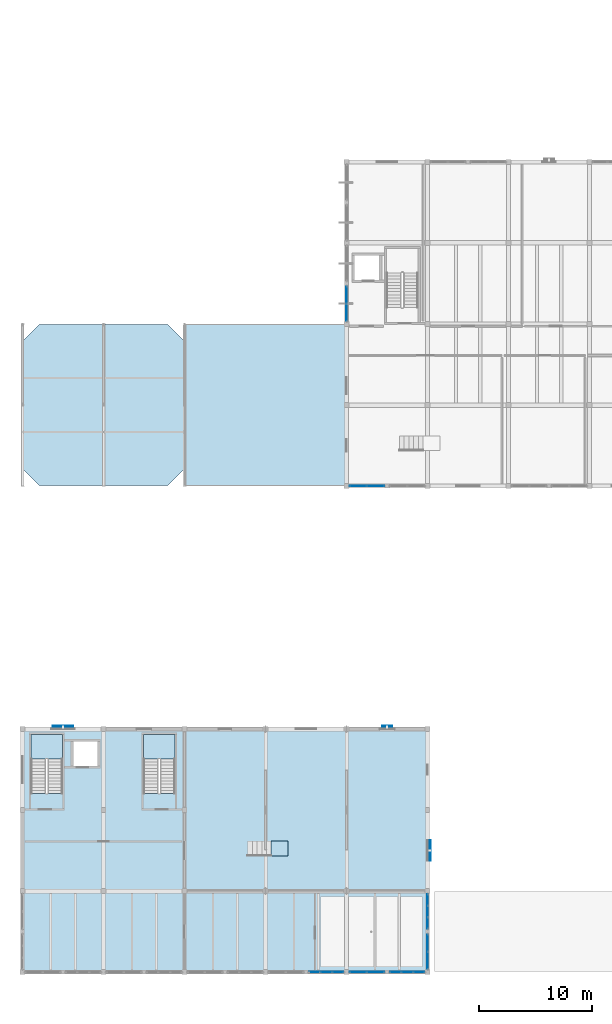
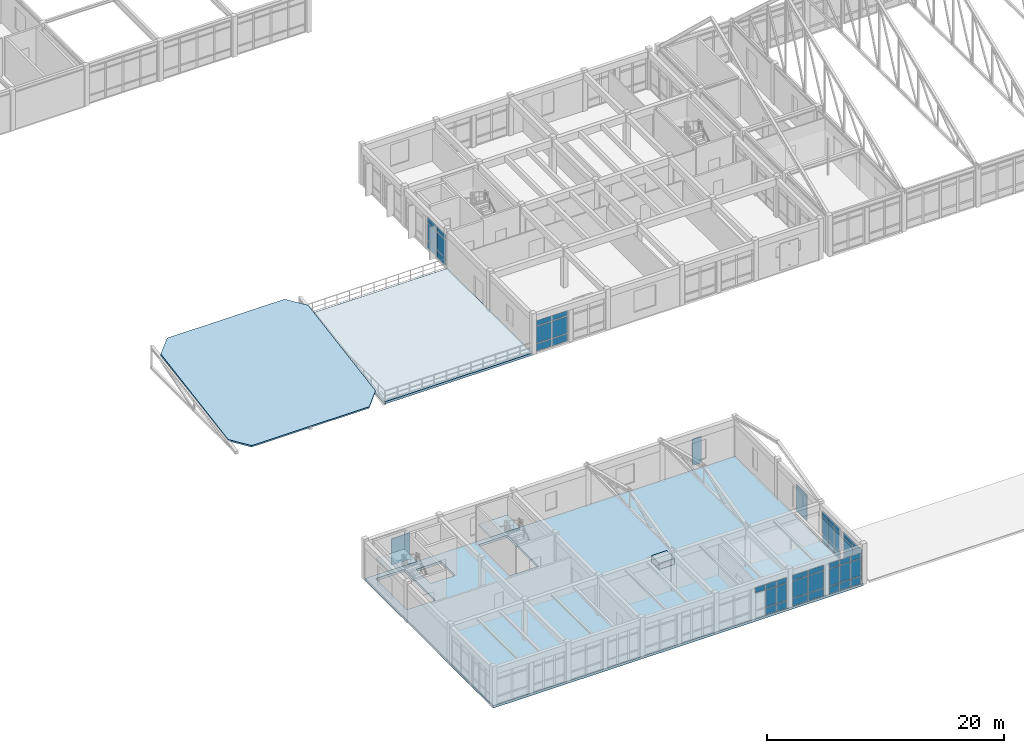
# One storey, part 76 of 136: 52 plates, 6 slabs, 9 elements without a shape of their own.
"""IFC4 building model written with IfcOpenShell, lengths in metres."""

from ifc_helpers import new_model, si_unit, direction, frame, origin, origin_2d, place, context, subcontext, project, spatial, polyline, rectangle, outline, extrude, material, layer, layer_set, type_object, element, aggregate, save


model = new_model("IFC4")

# Units and contexts
model_context = context("Model", 3, precision=1e-05, world=origin(), true_north=direction((0.0, 1.0)))
body_context = subcontext(model_context, "Body", "Model", "MODEL_VIEW")
ifc_project = project(units=[si_unit("LENGTHUNIT", "METRE"), si_unit("AREAUNIT", "SQUARE_METRE"), si_unit("VOLUMEUNIT", "CUBIC_METRE"), si_unit("PLANEANGLEUNIT", "RADIAN"), si_unit("MASSUNIT", "GRAM", prefix="KILO")], contexts=[model_context])

# Site, building, storey
site_placement = place(None, origin())
site = spatial("IfcSite", under=ifc_project, at=site_placement, CompositionType="ELEMENT")
building_placement = place(site_placement, origin())
building = spatial("IfcBuilding", under=site, at=building_placement, Name="Koriwan Promenade Central Fire Station", CompositionType="ELEMENT")
storey_placement = place(building_placement, frame((0.0, 0.0, 5.39990234375)))
storey = spatial("IfcBuildingStorey", under=building, at=storey_placement, Name="L01", CompositionType="ELEMENT", Elevation=5.39990234375)

# Curtain wall, plates
ifc_material_1 = material(Name="Aluminium EN AW-6063-T6 and low-E glazing", Category="aluminium")
ifc_layer_1 = layer(ifc_material_1, 0.159912109375, Name="Aluminium EN AW-6063-T6 and low-E glazing")
ifc_layer_set_1 = layer_set([ifc_layer_1], Name="Aluminium EN AW-6063-T6 and low-E glazing")
curtain_wall_type_1 = type_object("IfcCurtainWallType", Name="CurtainWall_26_318x335", PredefinedType="USERDEFINED", material=ifc_layer_set_1)
curtain_wall_1_placement = place(storey_placement, origin())
curtain_wall_1 = element("IfcCurtainWall", 1, at=curtain_wall_1_placement, inside=storey, type_object=curtain_wall_type_1, Name="V3 L01 unitised curtain wall 067", ObjectType="UNITISED CURTAIN WALL", PredefinedType="USERDEFINED")
ifc_material_2 = material(Name="Solar-control low-E acoustic glazing", Category="glass")
ifc_layer_2 = layer(ifc_material_2, 0.031982421875, Name="Solar-control low-E acoustic glazing")
ifc_layer_set_2 = layer_set([ifc_layer_2], Name="Solar-control low-E acoustic glazing")
plate_type_1 = type_object("IfcPlateType", Name="CWPanel_32", PredefinedType="CURTAIN_PANEL", material=ifc_layer_set_2)
plate_1_placement = place(storey_placement, frame((36.0, 1.03759765625, 0.0751953125), z_axis=(0.0, 0.0, 1.0), x_axis=(0.0, 1.0, 0.0)))
plate_1 = element("IfcPlate", 2, at=plate_1_placement, type_object=plate_type_1, Name="CW-26 panel 1.1", PredefinedType="CURTAIN_PANEL", context=body_context, shape_type="SweptSolid", body=[
    extrude(rectangle(XDim=1.47509765625, YDim=0.031982421875, at=origin_2d()), origin(), (0.0, 0.0, 1.0), 0.737548828125),
])
plate_2_placement = place(storey_placement, frame((36.0, 1.03759765625, 0.8876953125), z_axis=(0.0, 0.0, 1.0), x_axis=(0.0, 1.0, 0.0)))
plate_2 = element("IfcPlate", 3, at=plate_2_placement, type_object=plate_type_1, Name="CW-26 panel 1.2", PredefinedType="CURTAIN_PANEL", context=body_context, shape_type="SweptSolid", body=[
    extrude(rectangle(XDim=1.47509765625, YDim=0.031982421875, at=origin_2d()), origin(), (0.0, 0.0, 1.0), 1.77490234375),
])
plate_3_placement = place(storey_placement, frame((36.0, 1.03759765625, 2.737548828125), z_axis=(0.0, 0.0, 1.0), x_axis=(0.0, 1.0, 0.0)))
plate_3 = element("IfcPlate", 4, at=plate_3_placement, type_object=plate_type_1, Name="CW-26 panel 1.3", PredefinedType="CURTAIN_PANEL", context=body_context, shape_type="SweptSolid", body=[
    extrude(rectangle(XDim=1.47509765625, YDim=0.031982421875, at=origin_2d()), origin(), (0.0, 0.0, 1.0), 0.53759765625),
])
plate_4_placement = place(storey_placement, frame((36.0, 2.58740234375, 0.0751953125), z_axis=(0.0, 0.0, 1.0), x_axis=(0.0, 1.0, 0.0)))
plate_4 = element("IfcPlate", 5, at=plate_4_placement, type_object=plate_type_1, Name="CW-26 panel 2.1", PredefinedType="CURTAIN_PANEL", context=body_context, shape_type="SweptSolid", body=[
    extrude(rectangle(XDim=1.47509765625, YDim=0.031982421875, at=origin_2d()), origin(), (0.0, 0.0, 1.0), 0.737548828125),
])
plate_5_placement = place(storey_placement, frame((36.0, 2.58740234375, 0.8876953125), z_axis=(0.0, 0.0, 1.0), x_axis=(0.0, 1.0, 0.0)))
plate_5 = element("IfcPlate", 6, at=plate_5_placement, type_object=plate_type_1, Name="CW-26 panel 2.2", PredefinedType="CURTAIN_PANEL", context=body_context, shape_type="SweptSolid", body=[
    extrude(rectangle(XDim=1.47509765625, YDim=0.031982421875, at=origin_2d()), origin(), (0.0, 0.0, 1.0), 1.77490234375),
])
plate_6_placement = place(storey_placement, frame((36.0, 2.58740234375, 2.737548828125), z_axis=(0.0, 0.0, 1.0), x_axis=(0.0, 1.0, 0.0)))
plate_6 = element("IfcPlate", 7, at=plate_6_placement, type_object=plate_type_1, Name="CW-26 panel 2.3", PredefinedType="CURTAIN_PANEL", context=body_context, shape_type="SweptSolid", body=[
    extrude(rectangle(XDim=1.47509765625, YDim=0.031982421875, at=origin_2d()), origin(), (0.0, 0.0, 1.0), 0.53759765625),
])
aggregate(curtain_wall_1, [plate_1, plate_2, plate_3, plate_4, plate_5, plate_6])

ifc_layer_3 = layer(ifc_material_1, 0.159912109375, Name="Aluminium EN AW-6063-T6 and low-E glazing")
ifc_layer_set_3 = layer_set([ifc_layer_3], Name="Aluminium EN AW-6063-T6 and low-E glazing")
curtain_wall_type_2 = type_object("IfcCurtainWallType", Name="CurtainWall_27_318x335", PredefinedType="USERDEFINED", material=ifc_layer_set_3)
curtain_wall_2_placement = place(storey_placement, origin())
curtain_wall_2 = element("IfcCurtainWall", 8, at=curtain_wall_2_placement, inside=storey, type_object=curtain_wall_type_2, Name="V3 L01 unitised curtain wall 068", ObjectType="UNITISED CURTAIN WALL", PredefinedType="USERDEFINED")
plate_7_placement = place(storey_placement, frame((36.0, 4.347900390625, 0.0751953125), z_axis=(0.0, 0.0, 1.0), x_axis=(0.0, 1.0, 0.0)))
plate_7 = element("IfcPlate", 9, at=plate_7_placement, type_object=plate_type_1, Name="CW-27 panel 1.1", PredefinedType="CURTAIN_PANEL", context=body_context, shape_type="SweptSolid", body=[
    extrude(rectangle(XDim=0.94580078125, YDim=0.031982421875, at=origin_2d()), origin(), (0.0, 0.0, 1.0), 0.737548828125),
])
plate_8_placement = place(storey_placement, frame((36.0, 4.347900390625, 0.8876953125), z_axis=(0.0, 0.0, 1.0), x_axis=(0.0, 1.0, 0.0)))
plate_8 = element("IfcPlate", 10, at=plate_8_placement, type_object=plate_type_1, Name="CW-27 panel 1.2", PredefinedType="CURTAIN_PANEL", context=body_context, shape_type="SweptSolid", body=[
    extrude(rectangle(XDim=0.94580078125, YDim=0.031982421875, at=origin_2d()), origin(), (0.0, 0.0, 1.0), 1.77490234375),
])
plate_9_placement = place(storey_placement, frame((36.0, 4.347900390625, 2.737548828125), z_axis=(0.0, 0.0, 1.0), x_axis=(0.0, 1.0, 0.0)))
plate_9 = element("IfcPlate", 11, at=plate_9_placement, type_object=plate_type_1, Name="CW-27 panel 1.3", PredefinedType="CURTAIN_PANEL", context=body_context, shape_type="SweptSolid", body=[
    extrude(rectangle(XDim=0.94580078125, YDim=0.031982421875, at=origin_2d()), origin(), (0.0, 0.0, 1.0), 0.53759765625),
])
plate_10_placement = place(storey_placement, frame((36.0, 5.387451171875, 0.0751953125), z_axis=(0.0, 0.0, 1.0), x_axis=(0.0, 1.0, 0.0)))
plate_10 = element("IfcPlate", 12, at=plate_10_placement, type_object=plate_type_1, Name="CW-27 panel 2.1", PredefinedType="CURTAIN_PANEL", context=body_context, shape_type="SweptSolid", body=[
    extrude(rectangle(XDim=0.9833984375, YDim=0.031982421875, at=origin_2d()), origin(), (0.0, 0.0, 1.0), 0.737548828125),
])
plate_11_placement = place(storey_placement, frame((36.0, 5.387451171875, 0.8876953125), z_axis=(0.0, 0.0, 1.0), x_axis=(0.0, 1.0, 0.0)))
plate_11 = element("IfcPlate", 13, at=plate_11_placement, type_object=plate_type_1, Name="CW-27 panel 2.2", PredefinedType="CURTAIN_PANEL", context=body_context, shape_type="SweptSolid", body=[
    extrude(rectangle(XDim=0.9833984375, YDim=0.031982421875, at=origin_2d()), origin(), (0.0, 0.0, 1.0), 1.77490234375),
])
plate_12_placement = place(storey_placement, frame((36.0, 5.387451171875, 2.737548828125), z_axis=(0.0, 0.0, 1.0), x_axis=(0.0, 1.0, 0.0)))
plate_12 = element("IfcPlate", 14, at=plate_12_placement, type_object=plate_type_1, Name="CW-27 panel 2.3", PredefinedType="CURTAIN_PANEL", context=body_context, shape_type="SweptSolid", body=[
    extrude(rectangle(XDim=0.9833984375, YDim=0.031982421875, at=origin_2d()), origin(), (0.0, 0.0, 1.0), 0.53759765625),
])
plate_13_placement = place(storey_placement, frame((36.0, 6.427001953125, 0.0751953125), z_axis=(0.0, 0.0, 1.0), x_axis=(0.0, 1.0, 0.0)))
plate_13 = element("IfcPlate", 15, at=plate_13_placement, type_object=plate_type_1, Name="CW-27 panel 3.1", PredefinedType="CURTAIN_PANEL", context=body_context, shape_type="SweptSolid", body=[
    extrude(rectangle(XDim=0.94580078125, YDim=0.031982421875, at=origin_2d()), origin(), (0.0, 0.0, 1.0), 0.737548828125),
])
plate_14_placement = place(storey_placement, frame((36.0, 6.427001953125, 0.8876953125), z_axis=(0.0, 0.0, 1.0), x_axis=(0.0, 1.0, 0.0)))
plate_14 = element("IfcPlate", 16, at=plate_14_placement, type_object=plate_type_1, Name="CW-27 panel 3.2", PredefinedType="CURTAIN_PANEL", context=body_context, shape_type="SweptSolid", body=[
    extrude(rectangle(XDim=0.94580078125, YDim=0.031982421875, at=origin_2d()), origin(), (0.0, 0.0, 1.0), 1.77490234375),
])
plate_15_placement = place(storey_placement, frame((36.0, 6.427001953125, 2.737548828125), z_axis=(0.0, 0.0, 1.0), x_axis=(0.0, 1.0, 0.0)))
plate_15 = element("IfcPlate", 17, at=plate_15_placement, type_object=plate_type_1, Name="CW-27 panel 3.3", PredefinedType="CURTAIN_PANEL", context=body_context, shape_type="SweptSolid", body=[
    extrude(rectangle(XDim=0.94580078125, YDim=0.031982421875, at=origin_2d()), origin(), (0.0, 0.0, 1.0), 0.53759765625),
])
aggregate(curtain_wall_2, [plate_7, plate_8, plate_9, plate_10, plate_11, plate_12, plate_13, plate_14, plate_15])

ifc_layer_4 = layer(ifc_material_1, 0.159912109375, Name="Aluminium EN AW-6063-T6 and low-E glazing")
ifc_layer_set_4 = layer_set([ifc_layer_4], Name="Aluminium EN AW-6063-T6 and low-E glazing")
curtain_wall_type_3 = type_object("IfcCurtainWallType", Name="CurtainWall_31_318x330", PredefinedType="USERDEFINED", material=ifc_layer_set_4)
curtain_wall_3_placement = place(storey_placement, origin())
curtain_wall_3 = element("IfcCurtainWall", 18, at=curtain_wall_3_placement, inside=storey, type_object=curtain_wall_type_3, Name="V3 L01 unitised curtain wall 078", ObjectType="UNITISED CURTAIN WALL", PredefinedType="USERDEFINED")
plate_16_placement = place(storey_placement, frame((25.947998046875, 0.0, 2.6875), z_axis=(0.0, 0.0, 1.0), x_axis=(1.0, 0.0, 0.0)))
plate_16 = element("IfcPlate", 19, at=plate_16_placement, type_object=plate_type_1, Name="CW-31 panel 1.3", PredefinedType="CURTAIN_PANEL", context=body_context, shape_type="SweptSolid", body=[
    extrude(rectangle(XDim=0.94580078125, YDim=0.031982421875, at=origin_2d()), origin(), (0.0, 0.0, 1.0), 0.53759765625),
])
plate_17_placement = place(storey_placement, frame((26.987548828125, 0.0, 0.0751953125), z_axis=(0.0, 0.0, 1.0), x_axis=(1.0, 0.0, 0.0)))
plate_17 = element("IfcPlate", 20, at=plate_17_placement, type_object=plate_type_1, Name="CW-31 panel 2.1", PredefinedType="CURTAIN_PANEL", context=body_context, shape_type="SweptSolid", body=[
    extrude(rectangle(XDim=0.9833984375, YDim=0.031982421875, at=origin_2d()), origin(), (0.0, 0.0, 1.0), 0.737548828125),
])
plate_18_placement = place(storey_placement, frame((26.987548828125, 0.0, 0.887451171875), z_axis=(0.0, 0.0, 1.0), x_axis=(1.0, 0.0, 0.0)))
plate_18 = element("IfcPlate", 21, at=plate_18_placement, type_object=plate_type_1, Name="CW-31 panel 2.2", PredefinedType="CURTAIN_PANEL", context=body_context, shape_type="SweptSolid", body=[
    extrude(rectangle(XDim=0.9833984375, YDim=0.031982421875, at=origin_2d()), origin(), (0.0, 0.0, 1.0), 1.72509765625),
])
plate_19_placement = place(storey_placement, frame((26.987548828125, 0.0, 2.6875), z_axis=(0.0, 0.0, 1.0), x_axis=(1.0, 0.0, 0.0)))
plate_19 = element("IfcPlate", 22, at=plate_19_placement, type_object=plate_type_1, Name="CW-31 panel 2.3", PredefinedType="CURTAIN_PANEL", context=body_context, shape_type="SweptSolid", body=[
    extrude(rectangle(XDim=0.9833984375, YDim=0.031982421875, at=origin_2d()), origin(), (0.0, 0.0, 1.0), 0.53759765625),
])
plate_20_placement = place(storey_placement, frame((28.027099609375, 0.0, 0.0751953125), z_axis=(0.0, 0.0, 1.0), x_axis=(1.0, 0.0, 0.0)))
plate_20 = element("IfcPlate", 23, at=plate_20_placement, type_object=plate_type_1, Name="CW-31 panel 3.1", PredefinedType="CURTAIN_PANEL", context=body_context, shape_type="SweptSolid", body=[
    extrude(rectangle(XDim=0.94580078125, YDim=0.031982421875, at=origin_2d()), origin(), (0.0, 0.0, 1.0), 0.737548828125),
])
plate_21_placement = place(storey_placement, frame((28.027099609375, 0.0, 0.887451171875), z_axis=(0.0, 0.0, 1.0), x_axis=(1.0, 0.0, 0.0)))
plate_21 = element("IfcPlate", 24, at=plate_21_placement, type_object=plate_type_1, Name="CW-31 panel 3.2", PredefinedType="CURTAIN_PANEL", context=body_context, shape_type="SweptSolid", body=[
    extrude(rectangle(XDim=0.94580078125, YDim=0.031982421875, at=origin_2d()), origin(), (0.0, 0.0, 1.0), 1.72509765625),
])
plate_22_placement = place(storey_placement, frame((28.027099609375, 0.0, 2.6875), z_axis=(0.0, 0.0, 1.0), x_axis=(1.0, 0.0, 0.0)))
plate_22 = element("IfcPlate", 25, at=plate_22_placement, type_object=plate_type_1, Name="CW-31 panel 3.3", PredefinedType="CURTAIN_PANEL", context=body_context, shape_type="SweptSolid", body=[
    extrude(rectangle(XDim=0.94580078125, YDim=0.031982421875, at=origin_2d()), origin(), (0.0, 0.0, 1.0), 0.53759765625),
])
aggregate(curtain_wall_3, [plate_16, plate_17, plate_18, plate_19, plate_20, plate_21, plate_22])

ifc_layer_5 = layer(ifc_material_1, 0.159912109375, Name="Aluminium EN AW-6063-T6 and low-E glazing")
ifc_layer_set_5 = layer_set([ifc_layer_5], Name="Aluminium EN AW-6063-T6 and low-E glazing")
curtain_wall_type_4 = type_object("IfcCurtainWallType", Name="CurtainWall_30_318x330", PredefinedType="USERDEFINED", material=ifc_layer_set_5)
curtain_wall_4_placement = place(storey_placement, origin())
curtain_wall_4 = element("IfcCurtainWall", 26, at=curtain_wall_4_placement, inside=storey, type_object=curtain_wall_type_4, Name="V3 L01 unitised curtain wall 079", ObjectType="UNITISED CURTAIN WALL", PredefinedType="USERDEFINED")
plate_23_placement = place(storey_placement, frame((29.83740234375, 0.0, 0.0751953125), z_axis=(0.0, 0.0, 1.0), x_axis=(1.0, 0.0, 0.0)))
plate_23 = element("IfcPlate", 27, at=plate_23_placement, type_object=plate_type_1, Name="CW-30 panel 1.1", PredefinedType="CURTAIN_PANEL", context=body_context, shape_type="SweptSolid", body=[
    extrude(rectangle(XDim=1.47509765625, YDim=0.031982421875, at=origin_2d()), origin(), (0.0, 0.0, 1.0), 0.737548828125),
])
plate_24_placement = place(storey_placement, frame((29.83740234375, 0.0, 0.887451171875), z_axis=(0.0, 0.0, 1.0), x_axis=(1.0, 0.0, 0.0)))
plate_24 = element("IfcPlate", 28, at=plate_24_placement, type_object=plate_type_1, Name="CW-30 panel 1.2", PredefinedType="CURTAIN_PANEL", context=body_context, shape_type="SweptSolid", body=[
    extrude(rectangle(XDim=1.47509765625, YDim=0.031982421875, at=origin_2d()), origin(), (0.0, 0.0, 1.0), 1.72509765625),
])
plate_25_placement = place(storey_placement, frame((29.83740234375, 0.0, 2.6875), z_axis=(0.0, 0.0, 1.0), x_axis=(1.0, 0.0, 0.0)))
plate_25 = element("IfcPlate", 29, at=plate_25_placement, type_object=plate_type_1, Name="CW-30 panel 1.3", PredefinedType="CURTAIN_PANEL", context=body_context, shape_type="SweptSolid", body=[
    extrude(rectangle(XDim=1.47509765625, YDim=0.031982421875, at=origin_2d()), origin(), (0.0, 0.0, 1.0), 0.53759765625),
])
plate_26_placement = place(storey_placement, frame((31.387451171875, 0.0, 0.0751953125), z_axis=(0.0, 0.0, 1.0), x_axis=(1.0, 0.0, 0.0)))
plate_26 = element("IfcPlate", 30, at=plate_26_placement, type_object=plate_type_1, Name="CW-30 panel 2.1", PredefinedType="CURTAIN_PANEL", context=body_context, shape_type="SweptSolid", body=[
    extrude(rectangle(XDim=1.47509765625, YDim=0.031982421875, at=origin_2d()), origin(), (0.0, 0.0, 1.0), 0.737548828125),
])
plate_27_placement = place(storey_placement, frame((31.387451171875, 0.0, 0.887451171875), z_axis=(0.0, 0.0, 1.0), x_axis=(1.0, 0.0, 0.0)))
plate_27 = element("IfcPlate", 31, at=plate_27_placement, type_object=plate_type_1, Name="CW-30 panel 2.2", PredefinedType="CURTAIN_PANEL", context=body_context, shape_type="SweptSolid", body=[
    extrude(rectangle(XDim=1.47509765625, YDim=0.031982421875, at=origin_2d()), origin(), (0.0, 0.0, 1.0), 1.72509765625),
])
plate_28_placement = place(storey_placement, frame((31.387451171875, 0.0, 2.6875), z_axis=(0.0, 0.0, 1.0), x_axis=(1.0, 0.0, 0.0)))
plate_28 = element("IfcPlate", 32, at=plate_28_placement, type_object=plate_type_1, Name="CW-30 panel 2.3", PredefinedType="CURTAIN_PANEL", context=body_context, shape_type="SweptSolid", body=[
    extrude(rectangle(XDim=1.47509765625, YDim=0.031982421875, at=origin_2d()), origin(), (0.0, 0.0, 1.0), 0.53759765625),
])
aggregate(curtain_wall_4, [plate_23, plate_24, plate_25, plate_26, plate_27, plate_28])

ifc_layer_6 = layer(ifc_material_1, 0.159912109375, Name="Aluminium EN AW-6063-T6 and low-E glazing")
ifc_layer_set_6 = layer_set([ifc_layer_6], Name="Aluminium EN AW-6063-T6 and low-E glazing")
curtain_wall_type_5 = type_object("IfcCurtainWallType", Name="CurtainWall_32_317x330", PredefinedType="USERDEFINED", material=ifc_layer_set_6)
curtain_wall_5_placement = place(storey_placement, origin())
curtain_wall_5 = element("IfcCurtainWall", 33, at=curtain_wall_5_placement, inside=storey, type_object=curtain_wall_type_5, Name="V3 L01 unitised curtain wall 080", ObjectType="UNITISED CURTAIN WALL", PredefinedType="USERDEFINED")
plate_29_placement = place(storey_placement, frame((33.14794921875, 0.0, 0.0751953125), z_axis=(0.0, 0.0, 1.0), x_axis=(1.0, 0.0, 0.0)))
plate_29 = element("IfcPlate", 34, at=plate_29_placement, type_object=plate_type_1, Name="CW-32 panel 1.1", PredefinedType="CURTAIN_PANEL", context=body_context, shape_type="SweptSolid", body=[
    extrude(rectangle(XDim=0.94580078125, YDim=0.031982421875, at=origin_2d()), origin(), (0.0, 0.0, 1.0), 0.737548828125),
])
plate_30_placement = place(storey_placement, frame((33.14794921875, 0.0, 0.887451171875), z_axis=(0.0, 0.0, 1.0), x_axis=(1.0, 0.0, 0.0)))
plate_30 = element("IfcPlate", 35, at=plate_30_placement, type_object=plate_type_1, Name="CW-32 panel 1.2", PredefinedType="CURTAIN_PANEL", context=body_context, shape_type="SweptSolid", body=[
    extrude(rectangle(XDim=0.94580078125, YDim=0.031982421875, at=origin_2d()), origin(), (0.0, 0.0, 1.0), 1.72509765625),
])
plate_31_placement = place(storey_placement, frame((33.14794921875, 0.0, 2.6875), z_axis=(0.0, 0.0, 1.0), x_axis=(1.0, 0.0, 0.0)))
plate_31 = element("IfcPlate", 36, at=plate_31_placement, type_object=plate_type_1, Name="CW-32 panel 1.3", PredefinedType="CURTAIN_PANEL", context=body_context, shape_type="SweptSolid", body=[
    extrude(rectangle(XDim=0.94580078125, YDim=0.031982421875, at=origin_2d()), origin(), (0.0, 0.0, 1.0), 0.53759765625),
])
plate_32_placement = place(storey_placement, frame((34.1875, 0.0, 0.0751953125), z_axis=(0.0, 0.0, 1.0), x_axis=(1.0, 0.0, 0.0)))
plate_32 = element("IfcPlate", 37, at=plate_32_placement, type_object=plate_type_1, Name="CW-32 panel 2.1", PredefinedType="CURTAIN_PANEL", context=body_context, shape_type="SweptSolid", body=[
    extrude(rectangle(XDim=0.9833984375, YDim=0.031982421875, at=origin_2d()), origin(), (0.0, 0.0, 1.0), 0.737548828125),
])
plate_33_placement = place(storey_placement, frame((34.1875, 0.0, 0.887451171875), z_axis=(0.0, 0.0, 1.0), x_axis=(1.0, 0.0, 0.0)))
plate_33 = element("IfcPlate", 38, at=plate_33_placement, type_object=plate_type_1, Name="CW-32 panel 2.2", PredefinedType="CURTAIN_PANEL", context=body_context, shape_type="SweptSolid", body=[
    extrude(rectangle(XDim=0.9833984375, YDim=0.031982421875, at=origin_2d()), origin(), (0.0, 0.0, 1.0), 1.72509765625),
])
plate_34_placement = place(storey_placement, frame((34.1875, 0.0, 2.6875), z_axis=(0.0, 0.0, 1.0), x_axis=(1.0, 0.0, 0.0)))
plate_34 = element("IfcPlate", 39, at=plate_34_placement, type_object=plate_type_1, Name="CW-32 panel 2.3", PredefinedType="CURTAIN_PANEL", context=body_context, shape_type="SweptSolid", body=[
    extrude(rectangle(XDim=0.9833984375, YDim=0.031982421875, at=origin_2d()), origin(), (0.0, 0.0, 1.0), 0.53759765625),
])
plate_35_placement = place(storey_placement, frame((35.22705078125, 0.0, 0.0751953125), z_axis=(0.0, 0.0, 1.0), x_axis=(1.0, 0.0, 0.0)))
plate_35 = element("IfcPlate", 40, at=plate_35_placement, type_object=plate_type_1, Name="CW-32 panel 3.1", PredefinedType="CURTAIN_PANEL", context=body_context, shape_type="SweptSolid", body=[
    extrude(rectangle(XDim=0.94580078125, YDim=0.031982421875, at=origin_2d()), origin(), (0.0, 0.0, 1.0), 0.737548828125),
])
plate_36_placement = place(storey_placement, frame((35.22705078125, 0.0, 0.887451171875), z_axis=(0.0, 0.0, 1.0), x_axis=(1.0, 0.0, 0.0)))
plate_36 = element("IfcPlate", 41, at=plate_36_placement, type_object=plate_type_1, Name="CW-32 panel 3.2", PredefinedType="CURTAIN_PANEL", context=body_context, shape_type="SweptSolid", body=[
    extrude(rectangle(XDim=0.94580078125, YDim=0.031982421875, at=origin_2d()), origin(), (0.0, 0.0, 1.0), 1.72509765625),
])
plate_37_placement = place(storey_placement, frame((35.22705078125, 0.0, 2.6875), z_axis=(0.0, 0.0, 1.0), x_axis=(1.0, 0.0, 0.0)))
plate_37 = element("IfcPlate", 42, at=plate_37_placement, type_object=plate_type_1, Name="CW-32 panel 3.3", PredefinedType="CURTAIN_PANEL", context=body_context, shape_type="SweptSolid", body=[
    extrude(rectangle(XDim=0.94580078125, YDim=0.031982421875, at=origin_2d()), origin(), (0.0, 0.0, 1.0), 0.53759765625),
])
aggregate(curtain_wall_5, [plate_29, plate_30, plate_31, plate_32, plate_33, plate_34, plate_35, plate_36, plate_37])

ifc_layer_7 = layer(ifc_material_1, 0.159912109375, Name="Aluminium EN AW-6063-T6 and low-E glazing")
ifc_layer_set_7 = layer_set([ifc_layer_7], Name="Aluminium EN AW-6063-T6 and low-E glazing")
curtain_wall_type_6 = type_object("IfcCurtainWallType", Name="CurtainWall_45_317x334", PredefinedType="USERDEFINED", material=ifc_layer_set_7)
curtain_wall_6_placement = place(storey_placement, origin())
curtain_wall_6 = element("IfcCurtainWall", 43, at=curtain_wall_6_placement, inside=storey, type_object=curtain_wall_type_6, Name="V4 L01 unitised curtain wall 124", ObjectType="UNITISED CURTAIN WALL", PredefinedType="USERDEFINED")
plate_38_placement = place(storey_placement, frame((28.800048828125, 60.1875, 0.0751953125), z_axis=(0.0, 0.0, 1.0), x_axis=(0.0, -1.0, 0.0)))
plate_38 = element("IfcPlate", 44, at=plate_38_placement, type_object=plate_type_1, Name="CW-45 panel 1.1", PredefinedType="CURTAIN_PANEL", context=body_context, shape_type="SweptSolid", body=[
    extrude(rectangle(XDim=1.47509765625, YDim=0.031982421875, at=origin_2d()), origin(), (0.0, 0.0, 1.0), 0.737548828125),
])
plate_39_placement = place(storey_placement, frame((28.800048828125, 60.1875, 0.8876953125), z_axis=(0.0, 0.0, 1.0), x_axis=(0.0, -1.0, 0.0)))
plate_39 = element("IfcPlate", 45, at=plate_39_placement, type_object=plate_type_1, Name="CW-45 panel 1.2", PredefinedType="CURTAIN_PANEL", context=body_context, shape_type="SweptSolid", body=[
    extrude(rectangle(XDim=1.47509765625, YDim=0.031982421875, at=origin_2d()), origin(), (0.0, 0.0, 1.0), 1.764892578125),
])
plate_40_placement = place(storey_placement, frame((28.800048828125, 60.1875, 2.7275390625), z_axis=(0.0, 0.0, 1.0), x_axis=(0.0, -1.0, 0.0)))
plate_40 = element("IfcPlate", 46, at=plate_40_placement, type_object=plate_type_1, Name="CW-45 panel 1.3", PredefinedType="CURTAIN_PANEL", context=body_context, shape_type="SweptSolid", body=[
    extrude(rectangle(XDim=1.47509765625, YDim=0.031982421875, at=origin_2d()), origin(), (0.0, 0.0, 1.0), 0.53759765625),
])
plate_41_placement = place(storey_placement, frame((28.800048828125, 58.637451171875, 0.0751953125), z_axis=(0.0, 0.0, 1.0), x_axis=(0.0, -1.0, 0.0)))
plate_41 = element("IfcPlate", 47, at=plate_41_placement, type_object=plate_type_1, Name="CW-45 panel 2.1", PredefinedType="CURTAIN_PANEL", context=body_context, shape_type="SweptSolid", body=[
    extrude(rectangle(XDim=1.47509765625, YDim=0.031982421875, at=origin_2d()), origin(), (0.0, 0.0, 1.0), 0.737548828125),
])
plate_42_placement = place(storey_placement, frame((28.800048828125, 58.637451171875, 0.8876953125), z_axis=(0.0, 0.0, 1.0), x_axis=(0.0, -1.0, 0.0)))
plate_42 = element("IfcPlate", 48, at=plate_42_placement, type_object=plate_type_1, Name="CW-45 panel 2.2", PredefinedType="CURTAIN_PANEL", context=body_context, shape_type="SweptSolid", body=[
    extrude(rectangle(XDim=1.47509765625, YDim=0.031982421875, at=origin_2d()), origin(), (0.0, 0.0, 1.0), 1.764892578125),
])
plate_43_placement = place(storey_placement, frame((28.800048828125, 58.637451171875, 2.7275390625), z_axis=(0.0, 0.0, 1.0), x_axis=(0.0, -1.0, 0.0)))
plate_43 = element("IfcPlate", 49, at=plate_43_placement, type_object=plate_type_1, Name="CW-45 panel 2.3", PredefinedType="CURTAIN_PANEL", context=body_context, shape_type="SweptSolid", body=[
    extrude(rectangle(XDim=1.47509765625, YDim=0.031982421875, at=origin_2d()), origin(), (0.0, 0.0, 1.0), 0.53759765625),
])
aggregate(curtain_wall_6, [plate_38, plate_39, plate_40, plate_41, plate_42, plate_43])

ifc_layer_8 = layer(ifc_material_1, 0.159912109375, Name="Aluminium EN AW-6063-T6 and low-E glazing")
ifc_layer_set_8 = layer_set([ifc_layer_8], Name="Aluminium EN AW-6063-T6 and low-E glazing")
curtain_wall_type_7 = type_object("IfcCurtainWallType", Name="CurtainWall_28_318x329", PredefinedType="USERDEFINED", material=ifc_layer_set_8)
curtain_wall_7_placement = place(storey_placement, origin())
curtain_wall_7 = element("IfcCurtainWall", 50, at=curtain_wall_7_placement, inside=storey, type_object=curtain_wall_type_7, Name="V4 L01 unitised curtain wall 125", ObjectType="UNITISED CURTAIN WALL", PredefinedType="USERDEFINED")
plate_44_placement = place(storey_placement, frame((29.83740234375, 43.199951171875, 0.0751953125), z_axis=(0.0, 0.0, 1.0), x_axis=(1.0, 0.0, 0.0)))
plate_44 = element("IfcPlate", 51, at=plate_44_placement, type_object=plate_type_1, Name="CW-28 panel 1.1", PredefinedType="CURTAIN_PANEL", context=body_context, shape_type="SweptSolid", body=[
    extrude(rectangle(XDim=1.47509765625, YDim=0.031982421875, at=origin_2d()), origin(), (0.0, 0.0, 1.0), 0.737548828125),
])
plate_45_placement = place(storey_placement, frame((29.83740234375, 43.199951171875, 0.8876953125), z_axis=(0.0, 0.0, 1.0), x_axis=(1.0, 0.0, 0.0)))
plate_45 = element("IfcPlate", 52, at=plate_45_placement, type_object=plate_type_1, Name="CW-28 panel 1.2", PredefinedType="CURTAIN_PANEL", context=body_context, shape_type="SweptSolid", body=[
    extrude(rectangle(XDim=1.47509765625, YDim=0.031982421875, at=origin_2d()), origin(), (0.0, 0.0, 1.0), 1.715087890625),
])
plate_46_placement = place(storey_placement, frame((29.83740234375, 43.199951171875, 2.677490234375), z_axis=(0.0, 0.0, 1.0), x_axis=(1.0, 0.0, 0.0)))
plate_46 = element("IfcPlate", 53, at=plate_46_placement, type_object=plate_type_1, Name="CW-28 panel 1.3", PredefinedType="CURTAIN_PANEL", context=body_context, shape_type="SweptSolid", body=[
    extrude(rectangle(XDim=1.47509765625, YDim=0.031982421875, at=origin_2d()), origin(), (0.0, 0.0, 1.0), 0.53759765625),
])
plate_47_placement = place(storey_placement, frame((31.387451171875, 43.199951171875, 0.0751953125), z_axis=(0.0, 0.0, 1.0), x_axis=(1.0, 0.0, 0.0)))
plate_47 = element("IfcPlate", 54, at=plate_47_placement, type_object=plate_type_1, Name="CW-28 panel 2.1", PredefinedType="CURTAIN_PANEL", context=body_context, shape_type="SweptSolid", body=[
    extrude(rectangle(XDim=1.47509765625, YDim=0.031982421875, at=origin_2d()), origin(), (0.0, 0.0, 1.0), 0.737548828125),
])
plate_48_placement = place(storey_placement, frame((31.387451171875, 43.199951171875, 0.8876953125), z_axis=(0.0, 0.0, 1.0), x_axis=(1.0, 0.0, 0.0)))
plate_48 = element("IfcPlate", 55, at=plate_48_placement, type_object=plate_type_1, Name="CW-28 panel 2.2", PredefinedType="CURTAIN_PANEL", context=body_context, shape_type="SweptSolid", body=[
    extrude(rectangle(XDim=1.47509765625, YDim=0.031982421875, at=origin_2d()), origin(), (0.0, 0.0, 1.0), 1.715087890625),
])
plate_49_placement = place(storey_placement, frame((31.387451171875, 43.199951171875, 2.677490234375), z_axis=(0.0, 0.0, 1.0), x_axis=(1.0, 0.0, 0.0)))
plate_49 = element("IfcPlate", 56, at=plate_49_placement, type_object=plate_type_1, Name="CW-28 panel 2.3", PredefinedType="CURTAIN_PANEL", context=body_context, shape_type="SweptSolid", body=[
    extrude(rectangle(XDim=1.47509765625, YDim=0.031982421875, at=origin_2d()), origin(), (0.0, 0.0, 1.0), 0.53759765625),
])
aggregate(curtain_wall_7, [plate_44, plate_45, plate_46, plate_47, plate_48, plate_49])

# Slabs
ifc_material_3 = material(Name="Concrete C35/45", Category="concrete")
ifc_layer_9 = layer(ifc_material_3, 0.6298828125, Name="Concrete C35/45")
ifc_layer_set_9 = layer_set([ifc_layer_9], Name="Concrete C35/45")
slab_type_1 = type_object("IfcSlabType", Name="DaisPlatform_630", PredefinedType="LANDING", material=ifc_layer_set_9)
slab_1_placement = place(storey_placement, origin())
element("IfcSlab", 57, at=slab_1_placement, inside=storey, type_object=slab_type_1, Name="L01 speaker dais platform 01", PredefinedType="LANDING", context=body_context, shape_type="SweptSolid", body=[
    extrude(outline(polyline([(22.097900390625, 10.340087890625), (23.60009765625, 10.340087890625), (23.60009765625, 11.659912109375), (22.097900390625, 11.659912109375), (22.097900390625, 10.340087890625)])), origin(), (0.0, 0.0, 1.0), 0.630126953125),
])
ifc_layer_10 = layer(ifc_material_3, 0.25, Name="Concrete C35/45")
ifc_layer_set_10 = layer_set([ifc_layer_10], Name="Concrete C35/45")
slab_type_2 = type_object("IfcSlabType", Name="FloorSlab_250", PredefinedType="FLOOR", material=ifc_layer_set_10)
slab_2_placement = place(storey_placement, frame((0.0, 0.0, -0.25)))
element("IfcSlab", 58, at=slab_2_placement, inside=storey, type_object=slab_type_2, Name="V3 L01 structural slab 1", PredefinedType="FLOOR", context=body_context, shape_type="SweptSolid", body=[
    extrude(outline(polyline([(36.0, 21.60009765625), (36.0, 0.0), (0.0, 0.0), (0.0, 21.60009765625), (36.0, 21.60009765625)]), holes=[polyline([(0.760009765625, 21.110107421875), (0.760009765625, 15.8720703125), (3.550048828125, 15.8720703125), (3.550048828125, 21.110107421875), (0.760009765625, 21.110107421875)]), polyline([(13.550048828125, 21.110107421875), (10.760009765625, 21.110107421875), (10.760009765625, 15.8720703125), (13.550048828125, 15.8720703125), (13.550048828125, 21.110107421875)]), polyline([(4.39990234375, 20.60009765625), (4.39990234375, 18.199951171875), (6.800048828125, 18.199951171875), (6.800048828125, 20.60009765625), (4.39990234375, 20.60009765625)])]), origin(), (0.0, 0.0, 1.0), 0.25),
])

# Plates
ifc_material_4 = material(Name="Precast concrete C40/50", Category="concrete")
ifc_layer_11 = layer(ifc_material_4, 0.080078125, Name="Precast concrete C40/50")
ifc_layer_set_11 = layer_set([ifc_layer_11], Name="Precast concrete C40/50")
plate_type_2 = type_object("IfcPlateType", Name="JaliScreen_JL-01", PredefinedType="USERDEFINED", material=ifc_layer_set_11)
plate_50_placement = place(storey_placement, frame((32.39990234375, 21.85009765625, 0.27001953125), z_axis=(0.0, 0.0, 1.0), x_axis=(-1.0, 0.0, 0.0)))
element("IfcPlate", 59, at=plate_50_placement, inside=storey, type_object=plate_type_2, Name="V3 L01 Mughal jali screen 003", ObjectType="JALI SCREEN", PredefinedType="USERDEFINED", context=body_context, shape_type="SweptSolid", body=[
    extrude(rectangle(XDim=0.89990234375, YDim=0.080078125, at=origin_2d()), origin(), (0.0, 0.0, 1.0), 2.699951171875),
])
ifc_layer_12 = layer(ifc_material_4, 0.0849609375, Name="Precast concrete C40/50")
ifc_layer_set_12 = layer_set([ifc_layer_12], Name="Precast concrete C40/50")
plate_type_3 = type_object("IfcPlateType", Name="JaliScreen_JL-02", PredefinedType="USERDEFINED", material=ifc_layer_set_12)
for number, where, z_axis, x_axis, name in (
    (60, (36.25244140625, 10.800048828125, 0.294921875), (0.0, 0.0, 1.0), (0.0, 1.0, 0.0), "V3 L01 Mughal jali screen 002"),
    (61, (3.60009765625, 21.8525390625, 0.27001953125), (0.0, 0.0, 1.0), (-1.0, 0.0, 0.0), "V3 L01 Mughal jali screen 004"),
):
    element("IfcPlate", number, at=place(storey_placement, frame(where, z_axis=z_axis, x_axis=x_axis)), inside=storey, type_object=plate_type_3, Name=name, ObjectType="JALI SCREEN", PredefinedType="USERDEFINED", context=body_context, shape_type="SweptSolid", body=[
        extrude(rectangle(XDim=1.800048828125, YDim=0.0849609375, at=origin_2d()), origin(), (0.0, 0.0, 1.0), 2.699951171875),
    ])

# Slab
ifc_layer_13 = layer(ifc_material_3, 0.179931640625, Name="Concrete C35/45")
ifc_layer_set_13 = layer_set([ifc_layer_13], Name="Concrete C35/45")
slab_type_3 = type_object("IfcSlabType", Name="RoofSlab_180", PredefinedType="ROOF", material=ifc_layer_set_13)
slab_3_placement = place(storey_placement, frame((1.485107421875, 43.264892578125, 0.0), z_axis=(0.0, -0.165865253035, 0.986148425865), x_axis=(1.0, 0.0, 0.0)))
element("IfcSlab", 62, at=slab_3_placement, inside=storey, type_object=slab_type_3, Name="V4 west entrance pavilion pitched chhajja roof slab", PredefinedType="ROOF", context=body_context, shape_type="SweptSolid", body=[
    extrude(outline(polyline([(0.0, 0.0), (11.429931640625, 0.0), (12.8798828125, 1.4705617767136023), (12.8798828125, 13.000137183933585), (11.429931640625, 14.470458201754155), (0.0, 14.470458201754155), (-1.4501953125, 13.000137183933585), (-1.4501953125, 1.4705617767136023), (0.0, 0.0)])), origin(), (0.0, 0.0, -1.0), 0.179931640625),
])

# Stair, slab
stair_type = type_object("IfcStairType", Name="Stair_HALF_24R_1320", PredefinedType="HALF_TURN_STAIR", material=ifc_material_3)
stair_1_placement = place(storey_placement, origin())
stair_1 = element("IfcStair", 63, at=stair_1_placement, inside=storey, type_object=stair_type, Name="L01 Protected Stair ST14", PredefinedType="HALF_TURN_STAIR")
ifc_layer_14 = layer(ifc_material_3, 0.199951171875, Name="Concrete C35/45")
ifc_layer_set_14 = layer_set([ifc_layer_14], Name="Concrete C35/45")
slab_type_4 = type_object("IfcSlabType", Name="StairLanding_200", PredefinedType="LANDING", material=ifc_layer_set_14)
slab_4_placement = place(storey_placement, frame((0.0, 0.0, 1.900146484375)))
slab_4 = element("IfcSlab", 64, at=slab_4_placement, type_object=slab_type_4, Name="ST14 landing 1", PredefinedType="LANDING", context=body_context, shape_type="SweptSolid", body=[
    extrude(outline(polyline([(3.550048828125, 18.949951171875), (3.550048828125, 21.110107421875), (0.760009765625, 21.110107421875), (0.760009765625, 18.949951171875), (3.550048828125, 18.949951171875)])), origin(), (0.0, 0.0, 1.0), 0.199951171875),
])
aggregate(stair_1, [slab_4])

stair_2_placement = place(storey_placement, origin())
stair_2 = element("IfcStair", 65, at=stair_2_placement, inside=storey, type_object=stair_type, Name="L01 Protected Stair ST16", PredefinedType="HALF_TURN_STAIR")
slab_5_placement = place(storey_placement, frame((0.0, 0.0, 1.900146484375)))
slab_5 = element("IfcSlab", 66, at=slab_5_placement, type_object=slab_type_4, Name="ST16 landing 1", PredefinedType="LANDING", context=body_context, shape_type="SweptSolid", body=[
    extrude(outline(polyline([(13.550048828125, 18.949951171875), (13.550048828125, 21.110107421875), (10.760009765625, 21.110107421875), (10.760009765625, 18.949951171875), (13.550048828125, 18.949951171875)])), origin(), (0.0, 0.0, 1.0), 0.199951171875),
])
aggregate(stair_2, [slab_5])

# Slab
ifc_layer_15 = layer(ifc_material_3, 0.239990234375, Name="Concrete C35/45")
ifc_layer_set_15 = layer_set([ifc_layer_15], Name="Concrete C35/45")
slab_type_5 = type_object("IfcSlabType", Name="TerraceSlab_240", PredefinedType="FLOOR", material=ifc_layer_set_15)
slab_6_placement = place(storey_placement, frame((0.0, 0.0, -0.239990234375)))
element("IfcSlab", 67, at=slab_6_placement, inside=storey, type_object=slab_type_5, Name="Crew West Veranda Terrace (L01)", PredefinedType="FLOOR", context=body_context, shape_type="SweptSolid", body=[
    extrude(outline(polyline([(28.780029296875, 43.219970703125), (14.419921875, 43.219970703125), (14.419921875, 57.580078125), (28.780029296875, 57.580078125), (28.780029296875, 43.219970703125)])), origin(), (0.0, 0.0, 1.0), 0.239990234375),
])

save(model, "model.ifc")
